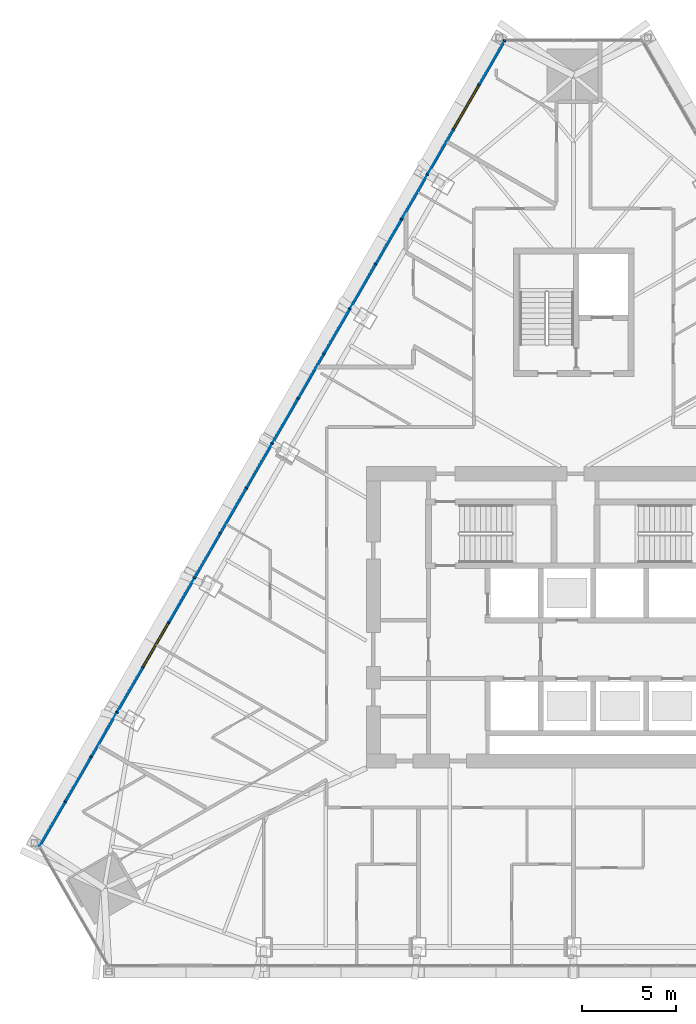
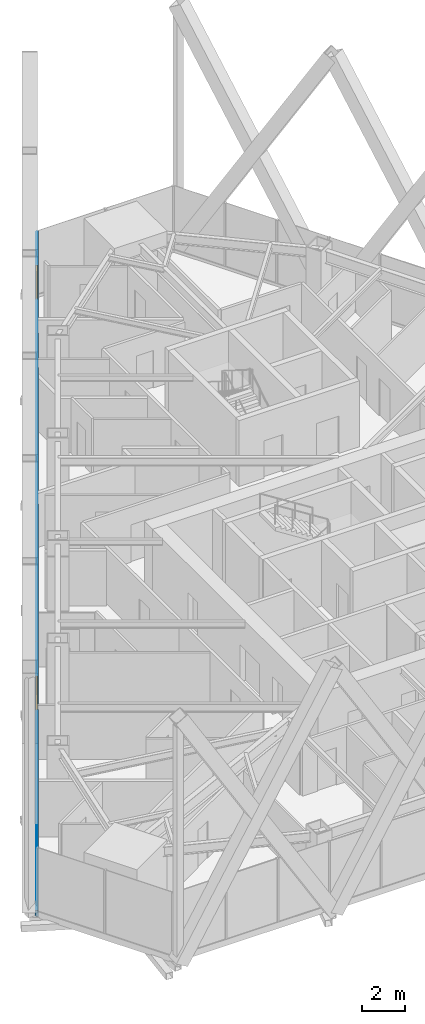
# One storey, part 5 of 19: 19 members, 16 plates, 2 windows, 2 openings, 1 element without a shape of its own.
"""IFC4 building model written with IfcOpenShell, lengths in metres."""

from ifc_helpers import new_model, si_unit, direction, frame, frame_2d, origin, origin_2d, place, context, subcontext, project, spatial, polyline, rectangle, outline, extrude, material, layer, layer_set, material_profile, profile_set, type_object, element, fill, aggregate, save


model = new_model("IFC4")

# Units and contexts
model_context = context("Model", 3, precision=1e-05, world=origin(), true_north=direction((0.0, 1.0)))
body_context = subcontext(model_context, "Body", "Model", "MODEL_VIEW")
ifc_project = project(units=[si_unit("LENGTHUNIT", "METRE"), si_unit("AREAUNIT", "SQUARE_METRE"), si_unit("VOLUMEUNIT", "CUBIC_METRE"), si_unit("PLANEANGLEUNIT", "RADIAN"), si_unit("MASSUNIT", "GRAM", prefix="KILO")], contexts=[model_context])

# Site, building, storey
site_placement = place(None, origin())
site = spatial("IfcSite", under=ifc_project, at=site_placement, CompositionType="ELEMENT")
building_placement = place(site_placement, origin())
building = spatial("IfcBuilding", under=site, at=building_placement, Name="Firuza Gate Tower and Library", CompositionType="ELEMENT")
storey_placement = place(building_placement, frame((0.0, 0.0, 233.800048828125)))
storey = spatial("IfcBuildingStorey", under=building, at=storey_placement, Name="L55", CompositionType="ELEMENT", Elevation=233.800048828125)

# Curtain wall, openings, members, plates, windows
ifc_material_1 = material(Name="Aluminium 6063-T6", Category="aluminium")
ifc_layer_1 = layer(ifc_material_1, 0.14990234375)
ifc_layer_set_1 = layer_set([ifc_layer_1], Name="Unitised curtain wall, hotel")
curtain_wall_type = type_object("IfcCurtainWallType", Name="Unitised curtain wall, hotel", PredefinedType="NOTDEFINED", material=ifc_layer_set_1)
curtain_wall_placement = place(storey_placement, origin())
curtain_wall = element("IfcCurtainWall", 1, at=curtain_wall_placement, inside=storey, type_object=curtain_wall_type, Name="CW2 L55 W face", PredefinedType="NOTDEFINED")
opening_1_placement = place(curtain_wall_placement, frame((69.96337890625, 103.234375, 0.14990234375), z_axis=(0.0, 0.0, 1.0), x_axis=(-0.5, -0.866025, 0.0)))
opening_1 = element("IfcOpeningElement", 2, at=opening_1_placement, cuts=curtain_wall, Name="Opening WD1-005", PredefinedType="OPENING", context=body_context, shape_type="SweptSolid", body=[
    extrude(rectangle(XDim=2.666748046875, YDim=3.550048828125, at=frame_2d((1.33349609375, 1.77490234375))), frame((0.0, 0.0849609375, 0.0), z_axis=(0.0, -1.0, 0.0), x_axis=(1.0, 0.0, 0.0)), (0.0, 0.0, 1.0), 0.169921875),
])
opening_2_placement = place(curtain_wall_placement, frame((53.4833984375, 74.690185546875, 0.14990234375), z_axis=(0.0, 0.0, 1.0), x_axis=(-0.5, -0.866025, 0.0)))
opening_2 = element("IfcOpeningElement", 3, at=opening_2_placement, cuts=curtain_wall, Name="Opening WD1-006", PredefinedType="OPENING", context=body_context, shape_type="SweptSolid", body=[
    extrude(rectangle(XDim=2.666748046875, YDim=3.550048828125, at=frame_2d((1.33349609375, 1.77490234375))), frame((0.0, 0.0849609375, 0.0), z_axis=(0.0, -1.0, 0.0), x_axis=(1.0, 0.0, 0.0)), (0.0, 0.0, 1.0), 0.169921875),
])
ifc_material_2 = material(Name="Aluminium 6063-T6", Category="aluminium")
ifc_material_profile_1 = material_profile(ifc_material_2, rectangle(XDim=0.14990234375, YDim=0.080078125, at=origin_2d()))
ifc_profile_set_1 = profile_set([ifc_material_profile_1], Name="Aluminium 6063-T6")
member_type_1 = type_object("IfcMemberType", Name="Curtain wall mullion 80x150", PredefinedType="MULLION", material=ifc_profile_set_1)
member_1_placement = place(storey_placement, frame((71.336669921875, 105.613037109375, 0.14990234375), z_axis=(0.0, 0.0, 1.0), x_axis=(0.866025403784, -0.5, 0.0)))
member_1 = element("IfcMember", 4, at=member_1_placement, type_object=member_type_1, Name="Mullion", PredefinedType="MULLION", context=body_context, shape_type="SweptSolid", body=[
    extrude(rectangle(XDim=0.14990234375, YDim=0.080078125, at=origin_2d()), origin(), (0.0, 0.0, 1.0), 3.550048828125),
])
member_2_placement = place(storey_placement, frame((69.9833984375, 103.268798828125, 0.14990234375), z_axis=(0.0, 0.0, 1.0), x_axis=(0.866025403784, -0.5, 0.0)))
member_2 = element("IfcMember", 5, at=member_2_placement, type_object=member_type_1, Name="Mullion", PredefinedType="MULLION", context=body_context, shape_type="SweptSolid", body=[
    extrude(rectangle(XDim=0.14990234375, YDim=0.080078125, at=origin_2d()), origin(), (0.0, 0.0, 1.0), 3.550048828125),
])
member_3_placement = place(storey_placement, frame((68.610107421875, 100.89013671875, 0.14990234375), z_axis=(0.0, 0.0, 1.0), x_axis=(0.866025403784, -0.5, 0.0)))
member_3 = element("IfcMember", 6, at=member_3_placement, type_object=member_type_1, Name="Mullion", PredefinedType="MULLION", context=body_context, shape_type="SweptSolid", body=[
    extrude(rectangle(XDim=0.14990234375, YDim=0.080078125, at=origin_2d()), origin(), (0.0, 0.0, 1.0), 3.550048828125),
])
member_4_placement = place(storey_placement, frame((67.23681640625, 98.511474609375, 0.14990234375), z_axis=(0.0, 0.0, 1.0), x_axis=(0.866025403784, -0.5, 0.0)))
member_4 = element("IfcMember", 7, at=member_4_placement, type_object=member_type_1, Name="Mullion", PredefinedType="MULLION", context=body_context, shape_type="SweptSolid", body=[
    extrude(rectangle(XDim=0.14990234375, YDim=0.080078125, at=origin_2d()), origin(), (0.0, 0.0, 1.0), 3.550048828125),
])
member_5_placement = place(storey_placement, frame((65.86328125, 96.1328125, 0.14990234375), z_axis=(0.0, 0.0, 1.0), x_axis=(0.866025403784, -0.5, 0.0)))
member_5 = element("IfcMember", 8, at=member_5_placement, type_object=member_type_1, Name="Mullion", PredefinedType="MULLION", context=body_context, shape_type="SweptSolid", body=[
    extrude(rectangle(XDim=0.14990234375, YDim=0.080078125, at=origin_2d()), origin(), (0.0, 0.0, 1.0), 3.550048828125),
])
member_6_placement = place(storey_placement, frame((64.489990234375, 93.754150390625, 0.14990234375), z_axis=(0.0, 0.0, 1.0), x_axis=(0.866025403784, -0.5, 0.0)))
member_6 = element("IfcMember", 9, at=member_6_placement, type_object=member_type_1, Name="Mullion", PredefinedType="MULLION", context=body_context, shape_type="SweptSolid", body=[
    extrude(rectangle(XDim=0.14990234375, YDim=0.080078125, at=origin_2d()), origin(), (0.0, 0.0, 1.0), 3.550048828125),
])
member_7_placement = place(storey_placement, frame((63.11669921875, 91.37548828125, 0.14990234375), z_axis=(0.0, 0.0, 1.0), x_axis=(0.866025403784, -0.5, 0.0)))
member_7 = element("IfcMember", 10, at=member_7_placement, type_object=member_type_1, Name="Mullion", PredefinedType="MULLION", context=body_context, shape_type="SweptSolid", body=[
    extrude(rectangle(XDim=0.14990234375, YDim=0.080078125, at=origin_2d()), origin(), (0.0, 0.0, 1.0), 3.550048828125),
])
member_8_placement = place(storey_placement, frame((61.743408203125, 88.996826171875, 0.14990234375), z_axis=(0.0, 0.0, 1.0), x_axis=(0.866025403784, -0.5, 0.0)))
member_8 = element("IfcMember", 11, at=member_8_placement, type_object=member_type_1, Name="Mullion", PredefinedType="MULLION", context=body_context, shape_type="SweptSolid", body=[
    extrude(rectangle(XDim=0.14990234375, YDim=0.080078125, at=origin_2d()), origin(), (0.0, 0.0, 1.0), 3.550048828125),
])
member_9_placement = place(storey_placement, frame((60.3701171875, 86.6181640625, 0.14990234375), z_axis=(0.0, 0.0, 1.0), x_axis=(0.866025403784, -0.5, 0.0)))
member_9 = element("IfcMember", 12, at=member_9_placement, type_object=member_type_1, Name="Mullion", PredefinedType="MULLION", context=body_context, shape_type="SweptSolid", body=[
    extrude(rectangle(XDim=0.14990234375, YDim=0.080078125, at=origin_2d()), origin(), (0.0, 0.0, 1.0), 3.550048828125),
])
member_10_placement = place(storey_placement, frame((58.996826171875, 84.239501953125, 0.14990234375), z_axis=(0.0, 0.0, 1.0), x_axis=(0.866025403784, -0.5, 0.0)))
member_10 = element("IfcMember", 13, at=member_10_placement, type_object=member_type_1, Name="Mullion", PredefinedType="MULLION", context=body_context, shape_type="SweptSolid", body=[
    extrude(rectangle(XDim=0.14990234375, YDim=0.080078125, at=origin_2d()), origin(), (0.0, 0.0, 1.0), 3.550048828125),
])
member_11_placement = place(storey_placement, frame((57.623291015625, 81.86083984375, 0.14990234375), z_axis=(0.0, 0.0, 1.0), x_axis=(0.866025403784, -0.5, 0.0)))
member_11 = element("IfcMember", 14, at=member_11_placement, type_object=member_type_1, Name="Mullion", PredefinedType="MULLION", context=body_context, shape_type="SweptSolid", body=[
    extrude(rectangle(XDim=0.14990234375, YDim=0.080078125, at=origin_2d()), origin(), (0.0, 0.0, 1.0), 3.550048828125),
])
member_12_placement = place(storey_placement, frame((56.25, 79.482177734375, 0.14990234375), z_axis=(0.0, 0.0, 1.0), x_axis=(0.866025403784, -0.5, 0.0)))
member_12 = element("IfcMember", 15, at=member_12_placement, type_object=member_type_1, Name="Mullion", PredefinedType="MULLION", context=body_context, shape_type="SweptSolid", body=[
    extrude(rectangle(XDim=0.14990234375, YDim=0.080078125, at=origin_2d()), origin(), (0.0, 0.0, 1.0), 3.550048828125),
])
member_13_placement = place(storey_placement, frame((54.876708984375, 77.103515625, 0.14990234375), z_axis=(0.0, 0.0, 1.0), x_axis=(0.866025403784, -0.5, 0.0)))
member_13 = element("IfcMember", 16, at=member_13_placement, type_object=member_type_1, Name="Mullion", PredefinedType="MULLION", context=body_context, shape_type="SweptSolid", body=[
    extrude(rectangle(XDim=0.14990234375, YDim=0.080078125, at=origin_2d()), origin(), (0.0, 0.0, 1.0), 3.550048828125),
])
member_14_placement = place(storey_placement, frame((53.50341796875, 74.724853515625, 0.14990234375), z_axis=(0.0, 0.0, 1.0), x_axis=(0.866025403784, -0.5, 0.0)))
member_14 = element("IfcMember", 17, at=member_14_placement, type_object=member_type_1, Name="Mullion", PredefinedType="MULLION", context=body_context, shape_type="SweptSolid", body=[
    extrude(rectangle(XDim=0.14990234375, YDim=0.080078125, at=origin_2d()), origin(), (0.0, 0.0, 1.0), 3.550048828125),
])
member_15_placement = place(storey_placement, frame((52.130126953125, 72.34619140625, 0.14990234375), z_axis=(0.0, 0.0, 1.0), x_axis=(0.866025403784, -0.5, 0.0)))
member_15 = element("IfcMember", 18, at=member_15_placement, type_object=member_type_1, Name="Mullion", PredefinedType="MULLION", context=body_context, shape_type="SweptSolid", body=[
    extrude(rectangle(XDim=0.14990234375, YDim=0.080078125, at=origin_2d()), origin(), (0.0, 0.0, 1.0), 3.550048828125),
])
member_16_placement = place(storey_placement, frame((50.7568359375, 69.967529296875, 0.14990234375), z_axis=(0.0, 0.0, 1.0), x_axis=(0.866025403784, -0.5, 0.0)))
member_16 = element("IfcMember", 19, at=member_16_placement, type_object=member_type_1, Name="Mullion", PredefinedType="MULLION", context=body_context, shape_type="SweptSolid", body=[
    extrude(rectangle(XDim=0.14990234375, YDim=0.080078125, at=origin_2d()), origin(), (0.0, 0.0, 1.0), 3.550048828125),
])
member_17_placement = place(storey_placement, frame((49.383544921875, 67.5888671875, 0.14990234375), z_axis=(0.0, 0.0, 1.0), x_axis=(0.866025403784, -0.5, 0.0)))
member_17 = element("IfcMember", 20, at=member_17_placement, type_object=member_type_1, Name="Mullion", PredefinedType="MULLION", context=body_context, shape_type="SweptSolid", body=[
    extrude(rectangle(XDim=0.14990234375, YDim=0.080078125, at=origin_2d()), origin(), (0.0, 0.0, 1.0), 3.550048828125),
])
member_18_placement = place(storey_placement, frame((48.010009765625, 65.2099609375, 0.14990234375), z_axis=(0.0, 0.0, 1.0), x_axis=(0.866025403784, -0.5, 0.0)))
member_18 = element("IfcMember", 21, at=member_18_placement, type_object=member_type_1, Name="Mullion", PredefinedType="MULLION", context=body_context, shape_type="SweptSolid", body=[
    extrude(rectangle(XDim=0.14990234375, YDim=0.080078125, at=origin_2d()), origin(), (0.0, 0.0, 1.0), 3.550048828125),
])
ifc_material_3 = material(Name="Aluminium 6063-T6", Category="aluminium")
ifc_material_profile_2 = material_profile(ifc_material_3, rectangle(XDim=0.14990234375, YDim=0.35009765625, at=origin_2d()))
ifc_profile_set_2 = profile_set([ifc_material_profile_2], Name="Aluminium 6063-T6")
member_type_2 = type_object("IfcMemberType", Name="Curtain wall transom 350x150", PredefinedType="USERDEFINED", material=ifc_profile_set_2)
member_19_placement = place(storey_placement, frame((71.356689453125, 105.647705078125, -0.025146484375), z_axis=(-0.49999858964, -0.866026218055, 0.0), x_axis=(0.866026218055, -0.49999858964, 0.0)))
member_19 = element("IfcMember", 22, at=member_19_placement, type_object=member_type_2, Name="Transom", ObjectType="TRANSOM", PredefinedType="USERDEFINED", context=body_context, shape_type="SweptSolid", body=[
    extrude(rectangle(XDim=0.14990234375, YDim=0.35009765625, at=origin_2d()), origin(), (0.0, 0.0, 1.0), 49.440185546875),
])
ifc_material_4 = material(Name="Fritted glass", Category="glass")
ifc_layer_2 = layer(ifc_material_4, 0.030029296875)
ifc_layer_set_2 = layer_set([ifc_layer_2], Name="Fritted glass unit, hotel")
plate_type_1 = type_object("IfcPlateType", Name="Fritted glass unit, hotel", PredefinedType="CURTAIN_PANEL", material=ifc_layer_set_2)
plate_1_placement = place(storey_placement, frame((65.830322265625, 96.105712890625, 0.14990234375), z_axis=(-0.866031596129, 0.499989274391, 0.0), x_axis=(-0.499989274391, -0.866031596129, 0.0)))
plate_1 = element("IfcPlate", 23, at=plate_1_placement, type_object=plate_type_1, Name="Glass unit", PredefinedType="CURTAIN_PANEL", context=body_context, shape_type="SweptSolid", body=[
    extrude(outline(polyline([(0.0, 0.0), (2.6665611072350224, 0.0), (2.6665611072350224, 3.550048828125001), (0.0, 3.550048828125001), (0.0, 0.0)])), origin(), (0.0, 0.0, -1.0), 0.030029296875),
])
plate_2_placement = place(storey_placement, frame((61.71044921875, 88.9697265625, 0.14990234375), z_axis=(-0.865991950723, 0.500057937927, 0.0), x_axis=(-0.500057937927, -0.865991950723, 0.0)))
plate_2 = element("IfcPlate", 24, at=plate_2_placement, type_object=plate_type_1, Name="Glass unit", PredefinedType="CURTAIN_PANEL", context=body_context, shape_type="SweptSolid", body=[
    extrude(outline(polyline([(0.0, 0.0), (2.666683183310937, 0.0), (2.666683183310937, 3.550048828125), (0.0, 3.550048828125), (0.0, 0.0)])), origin(), (0.0, 0.0, -1.0), 0.030029296875),
])
plate_3_placement = place(storey_placement, frame((57.59033203125, 81.833740234375, 0.14990234375), z_axis=(-0.866054481515, 0.499949632511, 0.0), x_axis=(-0.499949632511, -0.866054481515, 0.0)))
plate_3 = element("IfcPlate", 25, at=plate_3_placement, type_object=plate_type_1, Name="Glass unit", PredefinedType="CURTAIN_PANEL", context=body_context, shape_type="SweptSolid", body=[
    extrude(outline(polyline([(0.0, 0.0), (2.6667725435239085, 0.0), (2.6667725435239085, 3.550048828125001), (0.0, 3.550048828125001), (0.0, 0.0)])), origin(), (0.0, 0.0, -1.0), 0.030029296875),
])
plate_4_placement = place(storey_placement, frame((49.350341796875, 67.5615234375, 0.14990234375), z_axis=(-0.866031596129, 0.499989274391, 0.0), x_axis=(-0.499989274391, -0.866031596129, 0.0)))
plate_4 = element("IfcPlate", 26, at=plate_4_placement, type_object=plate_type_1, Name="Glass unit", PredefinedType="CURTAIN_PANEL", context=body_context, shape_type="SweptSolid", body=[
    extrude(outline(polyline([(0.0, 0.0), (2.6665611072350224, 0.0), (2.6665611072350224, 3.550048828125001), (0.0, 3.550048828125001), (0.0, 0.0)])), origin(), (0.0, 0.0, -1.0), 0.030029296875),
])
ifc_material_5 = material(Name="Glazed ceramic tile")
ifc_layer_3 = layer(ifc_material_5, 0.030029296875)
ifc_layer_set_3 = layer_set([ifc_layer_3], Name="Opaque ceramic panel, hotel")
plate_type_2 = type_object("IfcPlateType", Name="Opaque ceramic panel, hotel", PredefinedType="CURTAIN_PANEL", material=ifc_layer_set_3)
plate_5_placement = place(storey_placement, frame((71.32373046875, 105.620361328125, 0.14990234375), z_axis=(-0.866031596129, 0.499989274391, 0.0), x_axis=(-0.499989274391, -0.866031596129, 0.0)))
plate_5 = element("IfcPlate", 27, at=plate_5_placement, type_object=plate_type_2, Name="Opaque ceramic panel", PredefinedType="CURTAIN_PANEL", context=body_context, shape_type="SweptSolid", body=[
    extrude(outline(polyline([(0.0, 0.0), (2.6665611072350224, 0.0), (2.6665611072350224, 3.550048828125001), (0.0, 3.550048828125001), (0.0, 0.0)])), origin(), (0.0, 0.0, -1.0), 0.030029296875),
])
plate_6_placement = place(storey_placement, frame((68.5771484375, 100.863037109375, 0.14990234375), z_axis=(-0.865991950723, 0.500057937927, 0.0), x_axis=(-0.500057937927, -0.865991950723, 0.0)))
plate_6 = element("IfcPlate", 28, at=plate_6_placement, type_object=plate_type_2, Name="Opaque ceramic panel", PredefinedType="CURTAIN_PANEL", context=body_context, shape_type="SweptSolid", body=[
    extrude(outline(polyline([(0.0, 0.0), (2.666683183310937, 0.0), (2.666683183310937, 3.550048828125), (0.0, 3.550048828125), (0.0, 0.0)])), origin(), (0.0, 0.0, -1.0), 0.030029296875),
])
plate_7_placement = place(storey_placement, frame((67.20361328125, 98.484375, 0.14990234375), z_axis=(-0.866031596129, 0.499989274391, 0.0), x_axis=(-0.499989274391, -0.866031596129, 0.0)))
plate_7 = element("IfcPlate", 29, at=plate_7_placement, type_object=plate_type_2, Name="Opaque ceramic panel", PredefinedType="CURTAIN_PANEL", context=body_context, shape_type="SweptSolid", body=[
    extrude(outline(polyline([(0.0, 0.0), (2.6665611072350224, 0.0), (2.6665611072350224, 3.550048828125001), (0.0, 3.550048828125001), (0.0, 0.0)])), origin(), (0.0, 0.0, -1.0), 0.030029296875),
])
plate_8_placement = place(storey_placement, frame((64.45703125, 93.72705078125, 0.14990234375), z_axis=(-0.866031596129, 0.499989274391, 0.0), x_axis=(-0.499989274391, -0.866031596129, 0.0)))
plate_8 = element("IfcPlate", 30, at=plate_8_placement, type_object=plate_type_2, Name="Opaque ceramic panel", PredefinedType="CURTAIN_PANEL", context=body_context, shape_type="SweptSolid", body=[
    extrude(outline(polyline([(0.0, 0.0), (2.6665611072350224, 0.0), (2.6665611072350224, 3.550048828125001), (0.0, 3.550048828125001), (0.0, 0.0)])), origin(), (0.0, 0.0, -1.0), 0.030029296875),
])
plate_9_placement = place(storey_placement, frame((63.083740234375, 91.348388671875, 0.14990234375), z_axis=(-0.866031596129, 0.499989274391, 0.0), x_axis=(-0.499989274391, -0.866031596129, 0.0)))
plate_9 = element("IfcPlate", 31, at=plate_9_placement, type_object=plate_type_2, Name="Opaque ceramic panel", PredefinedType="CURTAIN_PANEL", context=body_context, shape_type="SweptSolid", body=[
    extrude(outline(polyline([(0.0, 0.0), (2.6665611072350224, 0.0), (2.6665611072350224, 3.550048828125001), (0.0, 3.550048828125001), (0.0, 0.0)])), origin(), (0.0, 0.0, -1.0), 0.030029296875),
])
plate_10_placement = place(storey_placement, frame((60.337158203125, 86.591064453125, 0.14990234375), z_axis=(-0.865991950723, 0.500057937927, 0.0), x_axis=(-0.500057937927, -0.865991950723, 0.0)))
plate_10 = element("IfcPlate", 32, at=plate_10_placement, type_object=plate_type_2, Name="Opaque ceramic panel", PredefinedType="CURTAIN_PANEL", context=body_context, shape_type="SweptSolid", body=[
    extrude(outline(polyline([(0.0, 0.0), (2.666683183310937, 0.0), (2.666683183310937, 3.550048828125), (0.0, 3.550048828125), (0.0, 0.0)])), origin(), (0.0, 0.0, -1.0), 0.030029296875),
])
plate_11_placement = place(storey_placement, frame((58.963623046875, 84.21240234375, 0.14990234375), z_axis=(-0.866031596129, 0.499989274391, 0.0), x_axis=(-0.499989274391, -0.866031596129, 0.0)))
plate_11 = element("IfcPlate", 33, at=plate_11_placement, type_object=plate_type_2, Name="Opaque ceramic panel", PredefinedType="CURTAIN_PANEL", context=body_context, shape_type="SweptSolid", body=[
    extrude(outline(polyline([(0.0, 0.0), (2.6665611072350224, 0.0), (2.6665611072350224, 3.550048828125001), (0.0, 3.550048828125001), (0.0, 0.0)])), origin(), (0.0, 0.0, -1.0), 0.030029296875),
])
plate_12_placement = place(storey_placement, frame((56.217041015625, 79.455078125, 0.14990234375), z_axis=(-0.866054481515, 0.499949632511, 0.0), x_axis=(-0.499949632511, -0.866054481515, 0.0)))
plate_12 = element("IfcPlate", 34, at=plate_12_placement, type_object=plate_type_2, Name="Opaque ceramic panel", PredefinedType="CURTAIN_PANEL", context=body_context, shape_type="SweptSolid", body=[
    extrude(outline(polyline([(0.0, 0.0), (2.6667725435239085, 0.0), (2.6667725435239085, 3.550048828125001), (0.0, 3.550048828125001), (0.0, 0.0)])), origin(), (0.0, 0.0, -1.0), 0.030029296875),
])
plate_13_placement = place(storey_placement, frame((54.84375, 77.076416015625, 0.14990234375), z_axis=(-0.866054481515, 0.499949632511, 0.0), x_axis=(-0.499949632511, -0.866054481515, 0.0)))
plate_13 = element("IfcPlate", 35, at=plate_13_placement, type_object=plate_type_2, Name="Opaque ceramic panel", PredefinedType="CURTAIN_PANEL", context=body_context, shape_type="SweptSolid", body=[
    extrude(outline(polyline([(0.0, 0.0), (2.6667725435239085, 0.0), (2.6667725435239085, 3.550048828125001), (0.0, 3.550048828125001), (0.0, 0.0)])), origin(), (0.0, 0.0, -1.0), 0.030029296875),
])
plate_14_placement = place(storey_placement, frame((52.09716796875, 72.31884765625, 0.14990234375), z_axis=(-0.865991950723, 0.500057937927, 0.0), x_axis=(-0.500057937927, -0.865991950723, 0.0)))
plate_14 = element("IfcPlate", 36, at=plate_14_placement, type_object=plate_type_2, Name="Opaque ceramic panel", PredefinedType="CURTAIN_PANEL", context=body_context, shape_type="SweptSolid", body=[
    extrude(outline(polyline([(0.0, 0.0), (2.666683183310937, 0.0), (2.666683183310937, 3.550048828125), (0.0, 3.550048828125), (0.0, 0.0)])), origin(), (0.0, 0.0, -1.0), 0.030029296875),
])
plate_15_placement = place(storey_placement, frame((50.723876953125, 69.940185546875, 0.14990234375), z_axis=(-0.865991950723, 0.500057937927, 0.0), x_axis=(-0.500057937927, -0.865991950723, 0.0)))
plate_15 = element("IfcPlate", 37, at=plate_15_placement, type_object=plate_type_2, Name="Opaque ceramic panel", PredefinedType="CURTAIN_PANEL", context=body_context, shape_type="SweptSolid", body=[
    extrude(outline(polyline([(0.0, 0.0), (2.666683183310937, 0.0), (2.666683183310937, 3.550048828125), (0.0, 3.550048828125), (0.0, 0.0)])), origin(), (0.0, 0.0, -1.0), 0.030029296875),
])
plate_16_placement = place(storey_placement, frame((47.97705078125, 65.182861328125, 0.14990234375), z_axis=(-0.866031596129, 0.499989274391, 0.0), x_axis=(-0.499989274391, -0.866031596129, 0.0)))
plate_16 = element("IfcPlate", 38, at=plate_16_placement, type_object=plate_type_2, Name="Opaque ceramic panel", PredefinedType="CURTAIN_PANEL", context=body_context, shape_type="SweptSolid", body=[
    extrude(outline(polyline([(0.0, 0.0), (2.6665611072350224, 0.0), (2.6665611072350224, 3.550048828125001), (0.0, 3.550048828125001), (0.0, 0.0)])), origin(), (0.0, 0.0, -1.0), 0.030029296875),
])
aggregate(curtain_wall, [member_1, member_2, member_3, member_4, member_5, member_6, member_7, member_8, member_9, member_10, member_11, member_12, member_13, member_14, member_15, member_16, member_17, member_18, member_19, plate_5, plate_6, plate_7, plate_1, plate_8, plate_9, plate_2, plate_10, plate_11, plate_3, plate_12, plate_13, plate_14, plate_15, plate_4, plate_16])
ifc_material_6 = material(Name="Aluminium 6063-T6 and glass", Category="aluminium")
ifc_layer_4 = layer(ifc_material_6, 0.030029296875)
ifc_layer_set_4 = layer_set([ifc_layer_4], Name="Operable glazed unit")
window_type = type_object("IfcWindowType", Name="Operable glazed unit", PartitioningType="SINGLE_PANEL", PredefinedType="WINDOW", material=ifc_layer_set_4)
window_1_placement = place(opening_1_placement, origin())
window_1 = element("IfcWindow", 39, at=window_1_placement, inside=storey, type_object=window_type, Name="Operable glazed unit", OverallHeight=3.550048828125, OverallWidth=2.666748046875, PartitioningType="SINGLE_PANEL", PredefinedType="WINDOW", context=body_context, shape_type="SweptSolid", body=[
    extrude(rectangle(XDim=2.666748046875, YDim=3.550048828125, at=frame_2d((1.33349609375, 1.77490234375))), frame((0.0, 0.030029296875, 0.0), z_axis=(0.0, -1.0, 0.0), x_axis=(1.0, 0.0, 0.0)), (0.0, 0.0, 1.0), 0.06005859375),
])
fill(opening_1, window_1)
window_2_placement = place(opening_2_placement, origin())
window_2 = element("IfcWindow", 40, at=window_2_placement, inside=storey, type_object=window_type, Name="Operable glazed unit", OverallHeight=3.550048828125, OverallWidth=2.666748046875, PartitioningType="SINGLE_PANEL", PredefinedType="WINDOW", context=body_context, shape_type="SweptSolid", body=[
    extrude(rectangle(XDim=2.666748046875, YDim=3.550048828125, at=frame_2d((1.33349609375, 1.77490234375))), frame((0.0, 0.030029296875, 0.0), z_axis=(0.0, -1.0, 0.0), x_axis=(1.0, 0.0, 0.0)), (0.0, 0.0, 1.0), 0.06005859375),
])
fill(opening_2, window_2)

save(model, "model.ifc")
